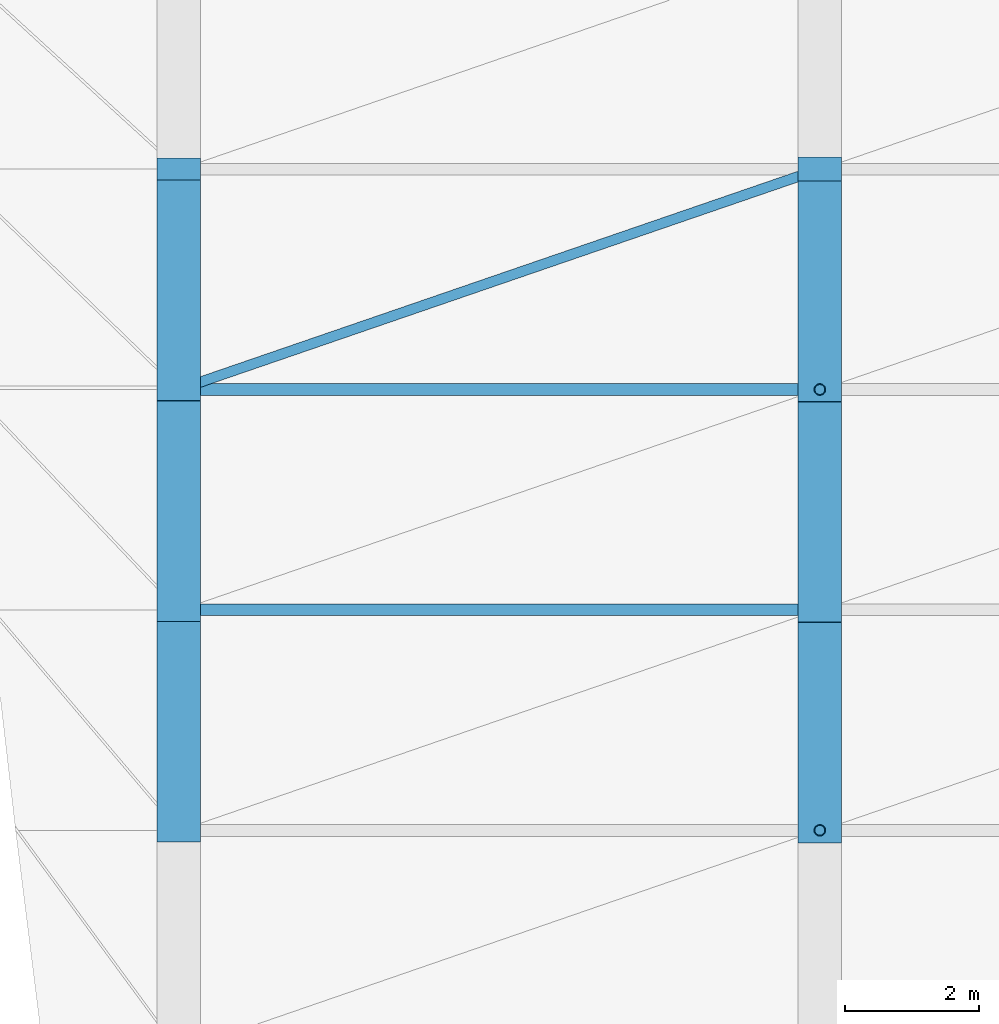
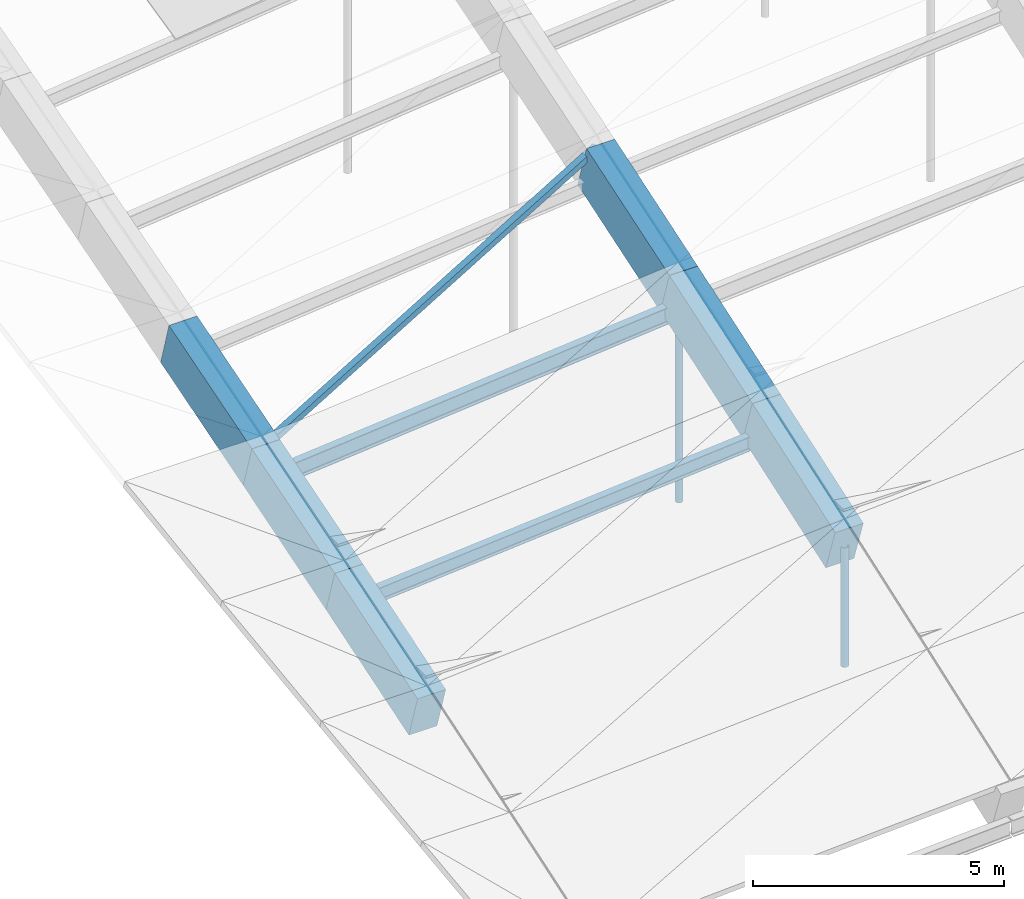
# One storey, part 2 of 43: 6 beams, 5 members.
"""IFC4 building model written with IfcOpenShell, lengths in metres."""

from ifc_helpers import new_model, si_unit, direction, frame, origin, origin_2d, place, context, subcontext, project, spatial, rectangle, hollow_rectangle, hollow_circle, i_section, extrude, material, material_profile, profile_set, type_object, element, save


model = new_model("IFC4")

# Units and contexts
model_context = context("Model", 3, precision=1e-05, world=origin(), true_north=direction((0.0, 1.0)))
body_context = subcontext(model_context, "Body", "Model", "MODEL_VIEW")
ifc_project = project(units=[si_unit("LENGTHUNIT", "METRE"), si_unit("AREAUNIT", "SQUARE_METRE"), si_unit("VOLUMEUNIT", "CUBIC_METRE"), si_unit("PLANEANGLEUNIT", "RADIAN"), si_unit("MASSUNIT", "GRAM", prefix="KILO")], contexts=[model_context])

# Site, building, storey
site_placement = place(None, origin())
site = spatial("IfcSite", under=ifc_project, at=site_placement, CompositionType="ELEMENT")
building_placement = place(site_placement, origin())
building = spatial("IfcBuilding", under=site, at=building_placement, Name="Chalmorin Arch Market", CompositionType="ELEMENT")
storey_placement = place(building_placement, frame((0.0, 0.0, 18.60009765625)))
storey = spatial("IfcBuildingStorey", under=building, at=storey_placement, Name="RF", CompositionType="ELEMENT", Elevation=18.60009765625)

# Members
ifc_material_1 = material(Name="Steel A500 Grade C", Category="steel")
ifc_material_profile_1 = material_profile(ifc_material_1, hollow_circle(Radius=0.084228515625, WallThickness=0.007080078125, at=origin_2d()), Name="CHS168X7")
ifc_profile_set_1 = profile_set([ifc_material_profile_1], Name="Steel A500 Grade C")
member_type_1 = type_object("IfcMemberType", Name="ArchHangerTie-CHS168", PredefinedType="CHORD", material=ifc_profile_set_1)
member_1_placement = place(storey_placement, frame((57.60009765625, 12.60009765625, -3.283447265625), z_axis=(0.0, 0.0, 1.0), x_axis=(1.0, 0.0, 0.0)))
element("IfcMember", 1, at=member_1_placement, inside=storey, type_object=member_type_1, Name="HT-CH168-0135", PredefinedType="CHORD", context=body_context, shape_type="SweptSolid", body=[
    extrude(hollow_circle(Radius=0.084228515625, WallThickness=0.007080078125, at=origin_2d()), origin(), (0.0, 0.0, 1.0), 2.90673828125),
])
member_2_placement = place(storey_placement, frame((57.60009765625, 19.199951171875, -3.283447265625), z_axis=(0.0, 0.0, 1.0), x_axis=(1.0, 0.0, 0.0)))
element("IfcMember", 2, at=member_2_placement, inside=storey, type_object=member_type_1, Name="HT-CH168-0136", PredefinedType="CHORD", context=body_context, shape_type="SweptSolid", body=[
    extrude(hollow_circle(Radius=0.084228515625, WallThickness=0.007080078125, at=origin_2d()), origin(), (0.0, 0.0, 1.0), 5.154052734375),
])

# Beams
ifc_material_2 = material(Name="Concrete C50/60", Category="concrete")
ifc_material_profile_2 = material_profile(ifc_material_2, rectangle(XDim=0.64990234375, YDim=1.14990234375, at=origin_2d()), Name="RC650X1150")
ifc_profile_set_2 = profile_set([ifc_material_profile_2], Name="Concrete C50/60")
beam_type = type_object("IfcBeamType", Name="ArchRibChord-650x1150", PredefinedType="BEAM", material=ifc_profile_set_2)
beam_1_placement = place(storey_placement, frame((48.0, 12.60009765625, -1.0732421875), z_axis=(0.0, 0.952875769051, 0.303360789747), x_axis=(-1.0, 0.0, 0.0)))
element("IfcBeam", 3, at=beam_1_placement, inside=storey, type_object=beam_type, Name="AR-01-1587", PredefinedType="BEAM", context=body_context, shape_type="SweptSolid", body=[
    extrude(rectangle(XDim=0.64990234375, YDim=1.14990234375, at=origin_2d()), origin(), (0.0, 0.0, 1.0), 3.462890625),
])
beam_2_placement = place(storey_placement, frame((48.0, 15.89990234375, -0.022705078125), z_axis=(0.0, 0.95498272248, 0.296661422778), x_axis=(-1.0, 0.0, 0.0)))
element("IfcBeam", 4, at=beam_2_placement, inside=storey, type_object=beam_type, Name="AR-01-1588", PredefinedType="BEAM", context=body_context, shape_type="SweptSolid", body=[
    extrude(rectangle(XDim=0.64990234375, YDim=1.14990234375, at=origin_2d()), origin(), (0.0, 0.0, 1.0), 3.45556640625),
])
beam_3_placement = place(storey_placement, frame((48.0, 19.199951171875, 1.00244140625), z_axis=(0.0, 0.957045243912, 0.2899386161), x_axis=(-1.0, 0.0, 0.0)))
element("IfcBeam", 5, at=beam_3_placement, inside=storey, type_object=beam_type, Name="AR-01-1589", PredefinedType="BEAM", context=body_context, shape_type="SweptSolid", body=[
    extrude(rectangle(XDim=0.64990234375, YDim=1.14990234375, at=origin_2d()), origin(), (0.0, 0.0, 1.0), 3.4482421875),
])
beam_4_placement = place(storey_placement, frame((57.60009765625, 12.60009765625, -0.376708984375), z_axis=(0.0, 0.945409398933, 0.325885053983), x_axis=(-1.0, 0.0, 0.0)))
element("IfcBeam", 6, at=beam_4_placement, inside=storey, type_object=beam_type, Name="AR-01-1606", PredefinedType="BEAM", context=body_context, shape_type="SweptSolid", body=[
    extrude(rectangle(XDim=0.64990234375, YDim=1.14990234375, at=origin_2d()), origin(), (0.0, 0.0, 1.0), 3.490234375),
])
beam_5_placement = place(storey_placement, frame((57.60009765625, 15.89990234375, 0.7607421875), z_axis=(0.0, 0.947831413915, 0.318772035781), x_axis=(-1.0, 0.0, 0.0)))
element("IfcBeam", 7, at=beam_5_placement, inside=storey, type_object=beam_type, Name="AR-01-1607", PredefinedType="BEAM", context=body_context, shape_type="SweptSolid", body=[
    extrude(rectangle(XDim=0.64990234375, YDim=1.14990234375, at=origin_2d()), origin(), (0.0, 0.0, 1.0), 3.481689453125),
])
beam_6_placement = place(storey_placement, frame((57.60009765625, 19.199951171875, 1.87060546875), z_axis=(0.0, 0.950183815663, 0.311690096815), x_axis=(-1.0, 0.0, 0.0)))
element("IfcBeam", 8, at=beam_6_placement, inside=storey, type_object=beam_type, Name="AR-01-1608", PredefinedType="BEAM", context=body_context, shape_type="SweptSolid", body=[
    extrude(rectangle(XDim=0.64990234375, YDim=1.14990234375, at=origin_2d()), origin(), (0.0, 0.0, 1.0), 3.47314453125),
])

# Members
ifc_material_3 = material(Name="Steel A992 Grade 50", Category="steel")
ifc_material_profile_3 = material_profile(ifc_material_3, i_section(OverallWidth=0.1708984375, OverallDepth=0.35107421875, WebThickness=0.0068359375, FlangeThickness=0.009765625, FilletRadius=0.014892578125, at=origin_2d()), Name="W14X30")
ifc_profile_set_3 = profile_set([ifc_material_profile_3], Name="Steel A992 Grade 50")
member_type_2 = type_object("IfcMemberType", Name="RoofSteelPurlin-W14X30", PredefinedType="PURLIN", material=ifc_profile_set_3)
member_3_placement = place(storey_placement, frame((48.02001953125, 15.89990234375, -0.502685546875), z_axis=(0.996658913962, 0.0, 0.081676246358), x_axis=(0.0, 1.0, 0.0)))
element("IfcMember", 9, at=member_3_placement, inside=storey, type_object=member_type_2, Name="PR-W14-0187", PredefinedType="PURLIN", context=body_context, shape_type="SweptSolid", body=[
    extrude(i_section(OverallWidth=0.1708984375, OverallDepth=0.35107421875, WebThickness=0.0068359375, FlangeThickness=0.009765625, FilletRadius=0.014892578125, at=origin_2d()), origin(), (0.0, 0.0, 1.0), 9.592041015625),
])
ifc_material_profile_4 = material_profile(ifc_material_3, i_section(OverallWidth=0.178955078125, OverallDepth=0.409912109375, WebThickness=0.0087890625, FlangeThickness=0.014404296875, FilletRadius=0.01806640625, at=origin_2d()), Name="W16X45")
ifc_profile_set_4 = profile_set([ifc_material_profile_4], Name="Steel A992 Grade 50")
member_type_3 = type_object("IfcMemberType", Name="RoofSteelPurlin-W16X45", PredefinedType="PURLIN", material=ifc_profile_set_4)
member_4_placement = place(storey_placement, frame((48.02001953125, 19.199951171875, 0.5224609375), z_axis=(0.995901957403, 0.0, 0.090439434101), x_axis=(0.0, 1.0, 0.0)))
element("IfcMember", 10, at=member_4_placement, inside=storey, type_object=member_type_3, Name="PR-W16-0188", PredefinedType="PURLIN", context=body_context, shape_type="SweptSolid", body=[
    extrude(i_section(OverallWidth=0.178955078125, OverallDepth=0.409912109375, WebThickness=0.0087890625, FlangeThickness=0.014404296875, FilletRadius=0.01806640625, at=origin_2d()), origin(), (0.0, 0.0, 1.0), 9.599365234375),
])
ifc_material_profile_5 = material_profile(ifc_material_1, hollow_rectangle(XDim=0.15234375, YDim=0.15234375, WallThickness=0.0087890625, at=origin_2d()), Name="HSS6X6X3/8")
ifc_profile_set_5 = profile_set([ifc_material_profile_5], Name="Steel A500 Grade C")
member_type_4 = type_object("IfcMemberType", Name="VaultWindBrace-HSS6X6", PredefinedType="BRACE", material=ifc_profile_set_5)
member_5_placement = place(storey_placement, frame((48.0, 19.199951171875, 1.352294921875), z_axis=(0.928691535866, 0.319239191554, 0.188728296198), x_axis=(-0.325081112779, 0.945686137212, 0.0)))
element("IfcMember", 11, at=member_5_placement, inside=storey, type_object=member_type_4, Name="BR-HS6-0202", ObjectType="Diagonal brace", PredefinedType="BRACE", context=body_context, shape_type="SweptSolid", body=[
    extrude(hollow_rectangle(XDim=0.15234375, YDim=0.15234375, WallThickness=0.0087890625, at=origin_2d()), origin(), (0.0, 0.0, 1.0), 10.337158203125),
])

save(model, "model.ifc")
